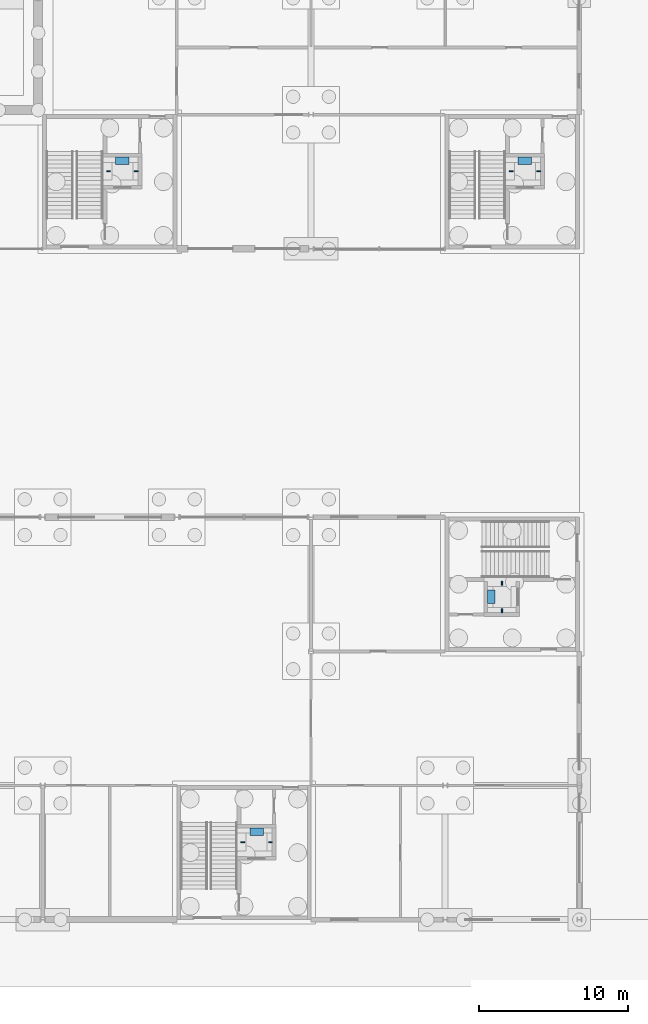
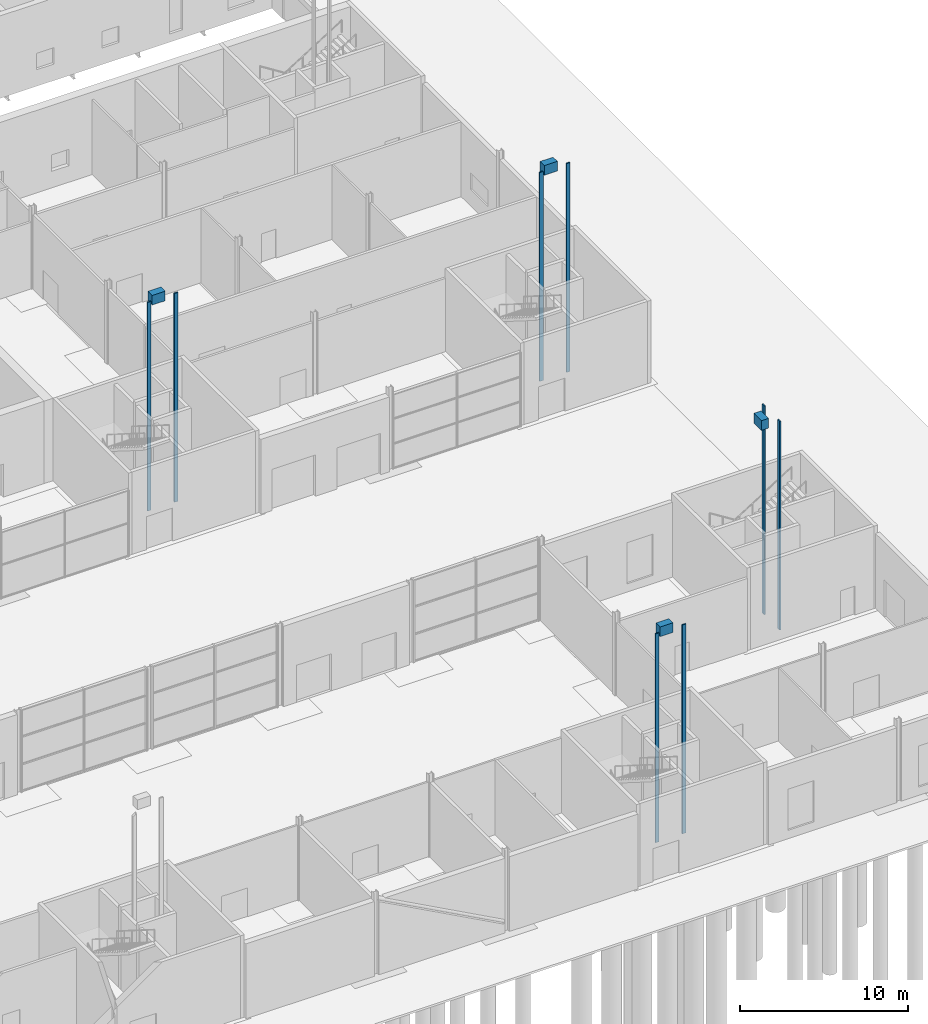
# One storey, part 90 of 97: 12 discrete accessories.
"""IFC4 building model written with IfcOpenShell, lengths in metres."""

from ifc_helpers import new_model, si_unit, direction, frame, origin, origin_2d, place, context, subcontext, project, spatial, rectangle, extrude, material, type_object, element, save


model = new_model("IFC4")

# Units and contexts
model_context = context("Model", 3, precision=1e-05, world=origin(), true_north=direction((0.0, 1.0)))
body_context = subcontext(model_context, "Body", "Model", "MODEL_VIEW")
ifc_project = project(units=[si_unit("LENGTHUNIT", "METRE"), si_unit("AREAUNIT", "SQUARE_METRE"), si_unit("VOLUMEUNIT", "CUBIC_METRE"), si_unit("PLANEANGLEUNIT", "RADIAN"), si_unit("MASSUNIT", "GRAM", prefix="KILO")], contexts=[model_context])

# Site, building, storey
site_placement = place(None, origin())
site = spatial("IfcSite", under=ifc_project, at=site_placement, CompositionType="ELEMENT")
building_placement = place(site_placement, origin())
building = spatial("IfcBuilding", under=site, at=building_placement, Name="Corbel Yard City Hall", CompositionType="ELEMENT")
storey_placement = place(building_placement, origin())
storey = spatial("IfcBuildingStorey", under=building, at=storey_placement, Name="L00", CompositionType="ELEMENT", Elevation=0.0)

# Discrete accessories
ifc_material = material(Name="Steel Grade G250", Category="steel")
discrete_accessory_type_1 = type_object("IfcDiscreteAccessoryType", Name="LM1", PredefinedType="USERDEFINED", material=ifc_material)
discrete_accessory_1_placement = place(storey_placement, frame((158.35009765625, 5.89990234375, 13.10009765625), z_axis=(0.0, 0.0, 1.0), x_axis=(1.0, 0.0, 0.0)))
element("IfcDiscreteAccessory", 1, at=discrete_accessory_1_placement, inside=storey, type_object=discrete_accessory_type_1, Name="Lift LP5 drive machine", ObjectType="LIFT MACHINE", PredefinedType="USERDEFINED", context=body_context, shape_type="SweptSolid", body=[
    extrude(rectangle(XDim=0.89990234375, YDim=0.5, at=origin_2d()), origin(), (0.0, 0.0, 1.0), 0.699951171875),
])
discrete_accessory_2_placement = place(storey_placement, frame((174.10009765625, 21.64990234375, 13.10009765625), z_axis=(0.0, 0.0, 1.0), x_axis=(1.0, 0.0, 0.0)))
element("IfcDiscreteAccessory", 2, at=discrete_accessory_2_placement, inside=storey, type_object=discrete_accessory_type_1, Name="Lift LP7 drive machine", ObjectType="LIFT MACHINE", PredefinedType="USERDEFINED", context=body_context, shape_type="SweptSolid", body=[
    extrude(rectangle(XDim=0.5, YDim=0.89990234375, at=origin_2d()), origin(), (0.0, 0.0, 1.0), 0.699951171875),
])
for number, where, z_axis, x_axis, name in (
    (3, (149.35009765625, 50.89990234375, 13.10009765625), (0.0, 0.0, 1.0), (1.0, 0.0, 0.0), "Lift LP11 drive machine"),
    (4, (176.35009765625, 50.89990234375, 13.10009765625), (0.0, 0.0, 1.0), (1.0, 0.0, 0.0), "Lift LP12 drive machine"),
):
    element("IfcDiscreteAccessory", number, at=place(storey_placement, frame(where, z_axis=z_axis, x_axis=x_axis)), inside=storey, type_object=discrete_accessory_type_1, Name=name, ObjectType="LIFT MACHINE", PredefinedType="USERDEFINED", context=body_context, shape_type="SweptSolid", body=[
        extrude(rectangle(XDim=0.89990234375, YDim=0.5, at=origin_2d()), origin(), (0.0, 0.0, 1.0), 0.699951171875),
    ])
discrete_accessory_type_2 = type_object("IfcDiscreteAccessoryType", Name="LR1", PredefinedType="USERDEFINED", material=ifc_material)
for number, where, z_axis, x_axis, name in (
    (5, (157.425048828125, 5.199951171875, -1.39990234375), (0.0, 0.0, 1.0), (1.0, 0.0, 0.0), "Lift LP5 guide rail 1"),
    (6, (159.27490234375, 5.199951171875, -1.39990234375), (0.0, 0.0, 1.0), (1.0, 0.0, 0.0), "Lift LP5 guide rail 2"),
):
    element("IfcDiscreteAccessory", number, at=place(storey_placement, frame(where, z_axis=z_axis, x_axis=x_axis)), inside=storey, type_object=discrete_accessory_type_2, Name=name, ObjectType="GUIDE RAIL", PredefinedType="USERDEFINED", context=body_context, shape_type="SweptSolid", body=[
        extrude(rectangle(XDim=0.25, YDim=0.090087890625, at=origin_2d()), origin(), (0.0, 0.0, 1.0), 15.199951171875),
    ])
for number, where, z_axis, x_axis, name in (
    (7, (174.800048828125, 20.72509765625, -1.39990234375), (0.0, 0.0, 1.0), (1.0, 0.0, 0.0), "Lift LP7 guide rail 1"),
    (8, (174.800048828125, 22.574951171875, -1.39990234375), (0.0, 0.0, 1.0), (1.0, 0.0, 0.0), "Lift LP7 guide rail 2"),
):
    element("IfcDiscreteAccessory", number, at=place(storey_placement, frame(where, z_axis=z_axis, x_axis=x_axis)), inside=storey, type_object=discrete_accessory_type_2, Name=name, ObjectType="GUIDE RAIL", PredefinedType="USERDEFINED", context=body_context, shape_type="SweptSolid", body=[
        extrude(rectangle(XDim=0.090087890625, YDim=0.25, at=origin_2d()), origin(), (0.0, 0.0, 1.0), 15.199951171875),
    ])
for number, where, z_axis, x_axis, name in (
    (9, (148.425048828125, 50.199951171875, -1.39990234375), (0.0, 0.0, 1.0), (1.0, 0.0, 0.0), "Lift LP11 guide rail 1"),
    (10, (150.27490234375, 50.199951171875, -1.39990234375), (0.0, 0.0, 1.0), (1.0, 0.0, 0.0), "Lift LP11 guide rail 2"),
    (11, (175.425048828125, 50.199951171875, -1.39990234375), (0.0, 0.0, 1.0), (1.0, 0.0, 0.0), "Lift LP12 guide rail 1"),
    (12, (177.27490234375, 50.199951171875, -1.39990234375), (0.0, 0.0, 1.0), (1.0, 0.0, 0.0), "Lift LP12 guide rail 2"),
):
    element("IfcDiscreteAccessory", number, at=place(storey_placement, frame(where, z_axis=z_axis, x_axis=x_axis)), inside=storey, type_object=discrete_accessory_type_2, Name=name, ObjectType="GUIDE RAIL", PredefinedType="USERDEFINED", context=body_context, shape_type="SweptSolid", body=[
        extrude(rectangle(XDim=0.25, YDim=0.090087890625, at=origin_2d()), origin(), (0.0, 0.0, 1.0), 15.199951171875),
    ])

save(model, "model.ifc")
